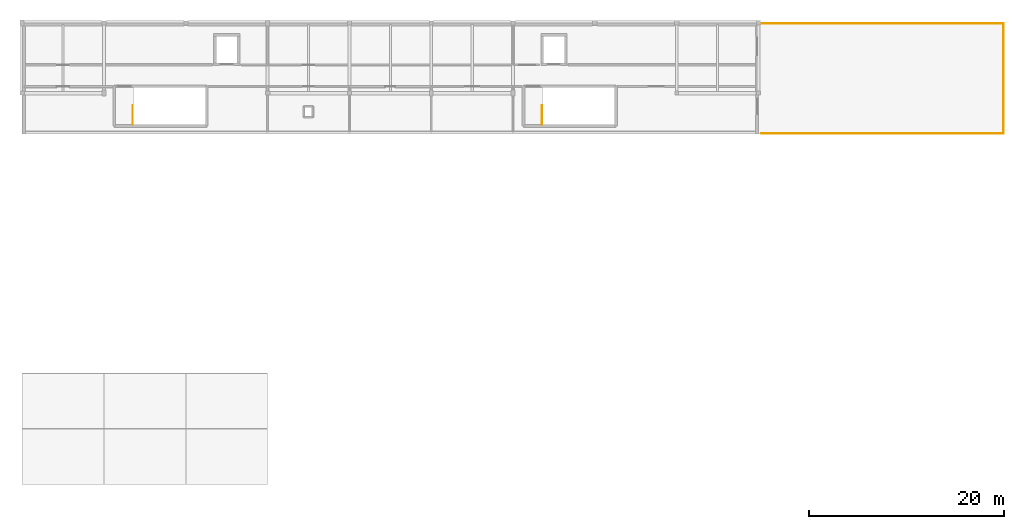
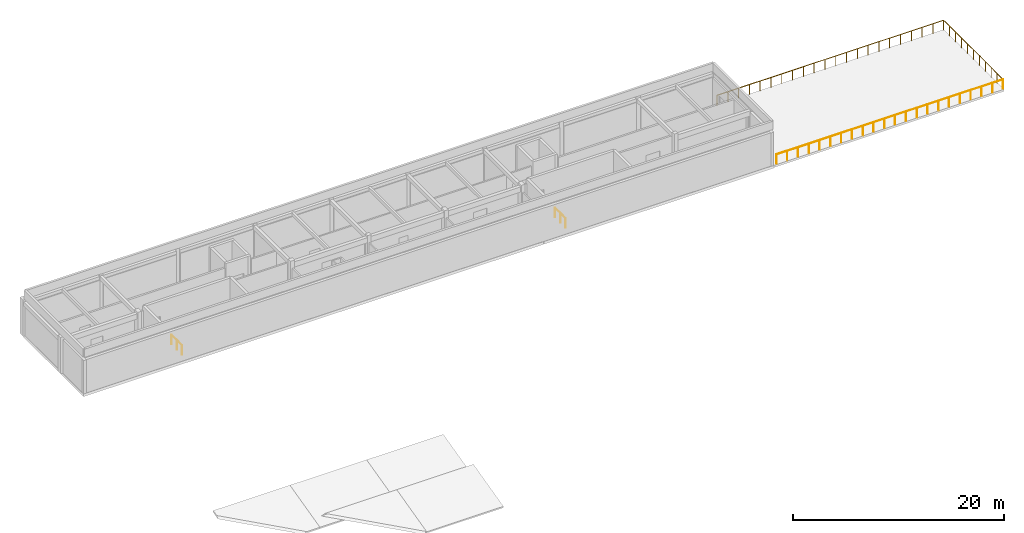
# One storey, part 6 of 6: 4 railings.
"""IFC4 building model written with IfcOpenShell, lengths in metres."""

from ifc_helpers import new_model, si_unit, direction, frame, origin, origin_2d, place, context, subcontext, project, spatial, circle, extrude, material, layer, layer_set, type_object, element, save


model = new_model("IFC4")

# Units and contexts
model_context = context("Model", 3, precision=1e-05, world=origin(), true_north=direction((0.0, 1.0)))
body_context = subcontext(model_context, "Body", "Model", "MODEL_VIEW")
ifc_project = project(units=[si_unit("LENGTHUNIT", "METRE"), si_unit("AREAUNIT", "SQUARE_METRE"), si_unit("VOLUMEUNIT", "CUBIC_METRE"), si_unit("PLANEANGLEUNIT", "RADIAN"), si_unit("MASSUNIT", "GRAM", prefix="KILO")], contexts=[model_context])

# Site, building, storey
site_placement = place(None, origin())
site = spatial("IfcSite", under=ifc_project, at=site_placement, CompositionType="ELEMENT")
building_placement = place(site_placement, origin())
building = spatial("IfcBuilding", under=site, at=building_placement, Name="Malvenik Polytechnic", CompositionType="ELEMENT")
storey_placement = place(building_placement, frame((0.0, 0.0, 26.10009765625)))
storey = spatial("IfcBuildingStorey", under=building, at=storey_placement, Name="L06", CompositionType="ELEMENT", Elevation=26.10009765625)

# Railings
ifc_material_1 = material(Name="Galvanised powder-coated steel and laminated glass guard 1150mm", Category="steel")
ifc_layer_1 = layer(ifc_material_1, 0.070068359375)
ifc_layer_set_1 = layer_set([ifc_layer_1], Name="Galvanised powder-coated steel and laminated glass guard 1150mm")
railing_type_1 = type_object("IfcRailingType", Name="ARC-RL-BAL-1150", PredefinedType="BALUSTRADE", material=ifc_layer_set_1)
railing_1_placement = place(storey_placement, frame((100.739990234375, 118.260009765625, 0.0)))
element("IfcRailing", 1, at=railing_1_placement, inside=storey, type_object=railing_type_1, Name="Terrace Perimeter Balustrade L06 #23", PredefinedType="BALUSTRADE", context=body_context, shape_type="SweptSolid", body=[
    extrude(circle(Radius=0.02392578125, at=origin_2d()), frame((0.0, 0.0, 1.1259765625), z_axis=(-1.0, 0.0, 0.0), x_axis=(0.0, -1.0, 0.0)), (0.0, 0.0, 1.0), 24.820068359375),
    extrude(circle(Radius=0.02099609375, at=origin_2d()), origin(), (0.0, 0.0, 1.0), 1.101806640625),
    extrude(circle(Radius=0.02099609375, at=origin_2d()), frame((-1.181884765625, 0.0, 0.0)), (0.0, 0.0, 1.0), 1.101806640625),
    extrude(circle(Radius=0.02099609375, at=origin_2d()), frame((-2.36376953125, 0.0, 0.0)), (0.0, 0.0, 1.0), 1.101806640625),
    extrude(circle(Radius=0.02099609375, at=origin_2d()), frame((-3.545654296875, 0.0, 0.0)), (0.0, 0.0, 1.0), 1.101806640625),
    extrude(circle(Radius=0.02099609375, at=origin_2d()), frame((-4.7275390625, 0.0, 0.0)), (0.0, 0.0, 1.0), 1.101806640625),
    extrude(circle(Radius=0.02099609375, at=origin_2d()), frame((-5.909423828125, 0.0, 0.0)), (0.0, 0.0, 1.0), 1.101806640625),
    extrude(circle(Radius=0.02099609375, at=origin_2d()), frame((-7.091552734375, 0.0, 0.0)), (0.0, 0.0, 1.0), 1.101806640625),
    extrude(circle(Radius=0.02099609375, at=origin_2d()), frame((-8.2734375, 0.0, 0.0)), (0.0, 0.0, 1.0), 1.101806640625),
    extrude(circle(Radius=0.02099609375, at=origin_2d()), frame((-9.455322265625, 0.0, 0.0)), (0.0, 0.0, 1.0), 1.101806640625),
    extrude(circle(Radius=0.02099609375, at=origin_2d()), frame((-10.63720703125, 0.0, 0.0)), (0.0, 0.0, 1.0), 1.101806640625),
    extrude(circle(Radius=0.02099609375, at=origin_2d()), frame((-11.819091796875, 0.0, 0.0)), (0.0, 0.0, 1.0), 1.101806640625),
    extrude(circle(Radius=0.02099609375, at=origin_2d()), frame((-13.0009765625, 0.0, 0.0)), (0.0, 0.0, 1.0), 1.101806640625),
    extrude(circle(Radius=0.02099609375, at=origin_2d()), frame((-14.182861328125, 0.0, 0.0)), (0.0, 0.0, 1.0), 1.101806640625),
    extrude(circle(Radius=0.02099609375, at=origin_2d()), frame((-15.36474609375, 0.0, 0.0)), (0.0, 0.0, 1.0), 1.101806640625),
    extrude(circle(Radius=0.02099609375, at=origin_2d()), frame((-16.546630859375, 0.0, 0.0)), (0.0, 0.0, 1.0), 1.101806640625),
    extrude(circle(Radius=0.02099609375, at=origin_2d()), frame((-17.728515625, 0.0, 0.0)), (0.0, 0.0, 1.0), 1.101806640625),
    extrude(circle(Radius=0.02099609375, at=origin_2d()), frame((-18.91064453125, 0.0, 0.0)), (0.0, 0.0, 1.0), 1.101806640625),
    extrude(circle(Radius=0.02099609375, at=origin_2d()), frame((-20.092529296875, 0.0, 0.0)), (0.0, 0.0, 1.0), 1.101806640625),
    extrude(circle(Radius=0.02099609375, at=origin_2d()), frame((-21.2744140625, 0.0, 0.0)), (0.0, 0.0, 1.0), 1.101806640625),
    extrude(circle(Radius=0.02099609375, at=origin_2d()), frame((-22.456298828125, 0.0, 0.0)), (0.0, 0.0, 1.0), 1.101806640625),
    extrude(circle(Radius=0.02099609375, at=origin_2d()), frame((-23.63818359375, 0.0, 0.0)), (0.0, 0.0, 1.0), 1.101806640625),
    extrude(circle(Radius=0.02099609375, at=origin_2d()), frame((-24.820068359375, 0.0, 0.0)), (0.0, 0.0, 1.0), 1.101806640625),
])
railing_2_placement = place(storey_placement, frame((75.919921875, 129.5400390625, 0.0)))
element("IfcRailing", 2, at=railing_2_placement, inside=storey, type_object=railing_type_1, Name="Terrace Perimeter Balustrade L06 #24", PredefinedType="BALUSTRADE", context=body_context, shape_type="SweptSolid", body=[
    extrude(circle(Radius=0.02392578125, at=origin_2d()), frame((0.0, 0.0, 1.1259765625), z_axis=(1.0, 0.0, 0.0), x_axis=(0.0, 1.0, 0.0)), (0.0, 0.0, 1.0), 24.820068359375),
    extrude(circle(Radius=0.02392578125, at=origin_2d()), frame((24.820068359375, 0.0, 1.1259765625), z_axis=(0.0, -1.0, 0.0), x_axis=(1.0, 0.0, 0.0)), (0.0, 0.0, 1.0), 11.280029296875),
    extrude(circle(Radius=0.02099609375, at=origin_2d()), origin(), (0.0, 0.0, 1.0), 1.101806640625),
    extrude(circle(Radius=0.02099609375, at=origin_2d()), frame((1.181884765625, 0.0, 0.0)), (0.0, 0.0, 1.0), 1.101806640625),
    extrude(circle(Radius=0.02099609375, at=origin_2d()), frame((2.36376953125, 0.0, 0.0)), (0.0, 0.0, 1.0), 1.101806640625),
    extrude(circle(Radius=0.02099609375, at=origin_2d()), frame((3.545654296875, 0.0, 0.0)), (0.0, 0.0, 1.0), 1.101806640625),
    extrude(circle(Radius=0.02099609375, at=origin_2d()), frame((4.7275390625, 0.0, 0.0)), (0.0, 0.0, 1.0), 1.101806640625),
    extrude(circle(Radius=0.02099609375, at=origin_2d()), frame((5.909423828125, 0.0, 0.0)), (0.0, 0.0, 1.0), 1.101806640625),
    extrude(circle(Radius=0.02099609375, at=origin_2d()), frame((7.091552734375, 0.0, 0.0)), (0.0, 0.0, 1.0), 1.101806640625),
    extrude(circle(Radius=0.02099609375, at=origin_2d()), frame((8.2734375, 0.0, 0.0)), (0.0, 0.0, 1.0), 1.101806640625),
    extrude(circle(Radius=0.02099609375, at=origin_2d()), frame((9.455322265625, 0.0, 0.0)), (0.0, 0.0, 1.0), 1.101806640625),
    extrude(circle(Radius=0.02099609375, at=origin_2d()), frame((10.63720703125, 0.0, 0.0)), (0.0, 0.0, 1.0), 1.101806640625),
    extrude(circle(Radius=0.02099609375, at=origin_2d()), frame((11.819091796875, 0.0, 0.0)), (0.0, 0.0, 1.0), 1.101806640625),
    extrude(circle(Radius=0.02099609375, at=origin_2d()), frame((13.0009765625, 0.0, 0.0)), (0.0, 0.0, 1.0), 1.101806640625),
    extrude(circle(Radius=0.02099609375, at=origin_2d()), frame((14.182861328125, 0.0, 0.0)), (0.0, 0.0, 1.0), 1.101806640625),
    extrude(circle(Radius=0.02099609375, at=origin_2d()), frame((15.36474609375, 0.0, 0.0)), (0.0, 0.0, 1.0), 1.101806640625),
    extrude(circle(Radius=0.02099609375, at=origin_2d()), frame((16.546630859375, 0.0, 0.0)), (0.0, 0.0, 1.0), 1.101806640625),
    extrude(circle(Radius=0.02099609375, at=origin_2d()), frame((17.728515625, 0.0, 0.0)), (0.0, 0.0, 1.0), 1.101806640625),
    extrude(circle(Radius=0.02099609375, at=origin_2d()), frame((18.91064453125, 0.0, 0.0)), (0.0, 0.0, 1.0), 1.101806640625),
    extrude(circle(Radius=0.02099609375, at=origin_2d()), frame((20.092529296875, 0.0, 0.0)), (0.0, 0.0, 1.0), 1.101806640625),
    extrude(circle(Radius=0.02099609375, at=origin_2d()), frame((21.2744140625, 0.0, 0.0)), (0.0, 0.0, 1.0), 1.101806640625),
    extrude(circle(Radius=0.02099609375, at=origin_2d()), frame((22.456298828125, 0.0, 0.0)), (0.0, 0.0, 1.0), 1.101806640625),
    extrude(circle(Radius=0.02099609375, at=origin_2d()), frame((23.63818359375, 0.0, 0.0)), (0.0, 0.0, 1.0), 1.101806640625),
    extrude(circle(Radius=0.02099609375, at=origin_2d()), frame((24.820068359375, 0.0, 0.0)), (0.0, 0.0, 1.0), 1.101806640625),
    extrude(circle(Radius=0.02099609375, at=origin_2d()), frame((24.820068359375, -1.1279296875, 0.0)), (0.0, 0.0, 1.0), 1.101806640625),
    extrude(circle(Radius=0.02099609375, at=origin_2d()), frame((24.820068359375, -2.256103515625, 0.0)), (0.0, 0.0, 1.0), 1.101806640625),
    extrude(circle(Radius=0.02099609375, at=origin_2d()), frame((24.820068359375, -3.384033203125, 0.0)), (0.0, 0.0, 1.0), 1.101806640625),
    extrude(circle(Radius=0.02099609375, at=origin_2d()), frame((24.820068359375, -4.511962890625, 0.0)), (0.0, 0.0, 1.0), 1.101806640625),
    extrude(circle(Radius=0.02099609375, at=origin_2d()), frame((24.820068359375, -5.64013671875, 0.0)), (0.0, 0.0, 1.0), 1.101806640625),
    extrude(circle(Radius=0.02099609375, at=origin_2d()), frame((24.820068359375, -6.76806640625, 0.0)), (0.0, 0.0, 1.0), 1.101806640625),
    extrude(circle(Radius=0.02099609375, at=origin_2d()), frame((24.820068359375, -7.89599609375, 0.0)), (0.0, 0.0, 1.0), 1.101806640625),
    extrude(circle(Radius=0.02099609375, at=origin_2d()), frame((24.820068359375, -9.02392578125, 0.0)), (0.0, 0.0, 1.0), 1.101806640625),
    extrude(circle(Radius=0.02099609375, at=origin_2d()), frame((24.820068359375, -10.152099609375, 0.0)), (0.0, 0.0, 1.0), 1.101806640625),
    extrude(circle(Radius=0.02099609375, at=origin_2d()), frame((24.820068359375, -11.280029296875, 0.0)), (0.0, 0.0, 1.0), 1.101806640625),
])
ifc_material_2 = material(Name="Painted galvanised steel stair well balustrade 1100mm", Category="steel")
ifc_layer_2 = layer(ifc_material_2, 0.050048828125)
ifc_layer_set_2 = layer_set([ifc_layer_2], Name="Painted galvanised steel stair well balustrade 1100mm")
railing_type_2 = type_object("IfcRailingType", Name="ARC-RL-STGD", PredefinedType="BALUSTRADE", material=ifc_layer_set_2)
for number, where, name in (
    (3, (11.35009765625, 119.14990234375, 0.0), "L06 ST-01 top well guard 1"),
    (4, (53.35009765625, 119.14990234375, 0.0), "L06 ST-02 top well guard 1"),
):
    element("IfcRailing", number, at=place(storey_placement, frame(where)), inside=storey, type_object=railing_type_2, Name=name, PredefinedType="BALUSTRADE", context=body_context, shape_type="SweptSolid", body=[
        extrude(circle(Radius=0.02392578125, at=origin_2d()), frame((0.0, 0.0, 1.076171875), z_axis=(0.0, 1.0, 0.0), x_axis=(-1.0, 0.0, 0.0)), (0.0, 0.0, 1.0), 2.0),
        extrude(circle(Radius=0.02099609375, at=origin_2d()), origin(), (0.0, 0.0, 1.0), 1.052001953125),
        extrude(circle(Radius=0.02099609375, at=origin_2d()), frame((0.0, 1.0, 0.0)), (0.0, 0.0, 1.0), 1.052001953125),
        extrude(circle(Radius=0.02099609375, at=origin_2d()), frame((0.0, 2.0, 0.0)), (0.0, 0.0, 1.0), 1.052001953125),
    ])

save(model, "model.ifc")
